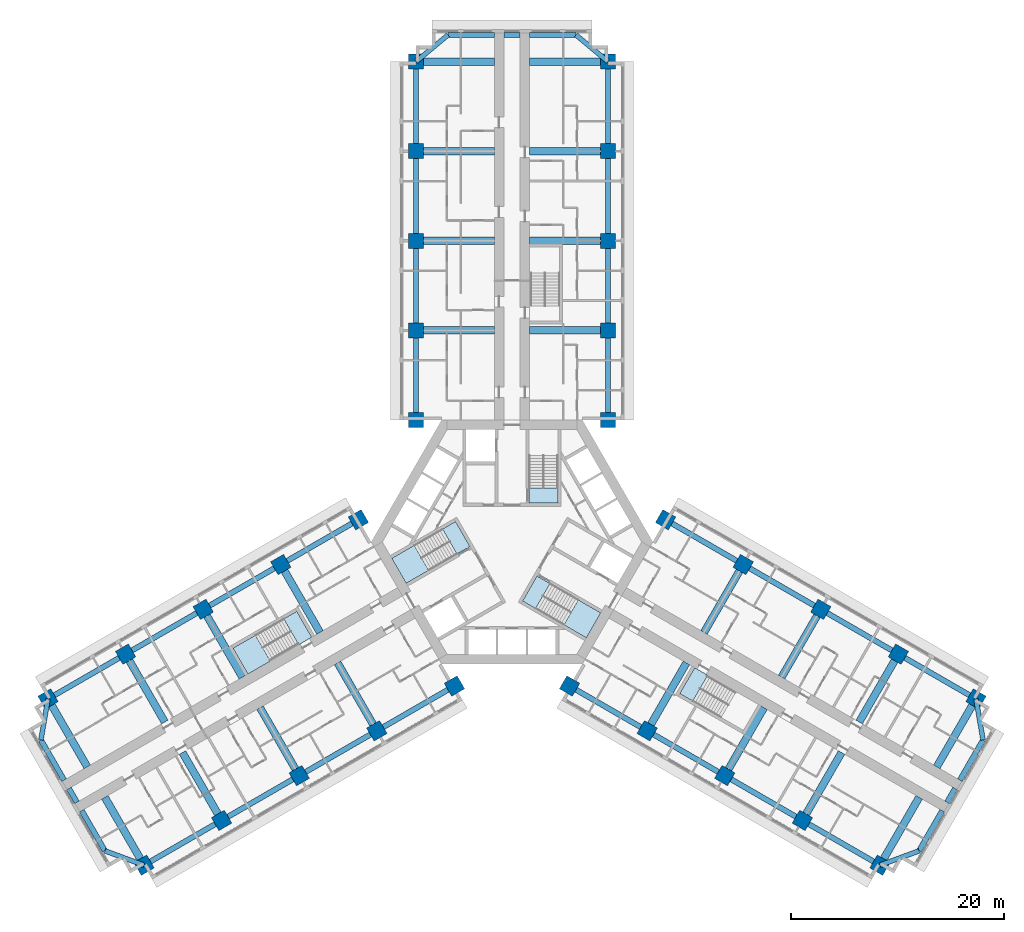
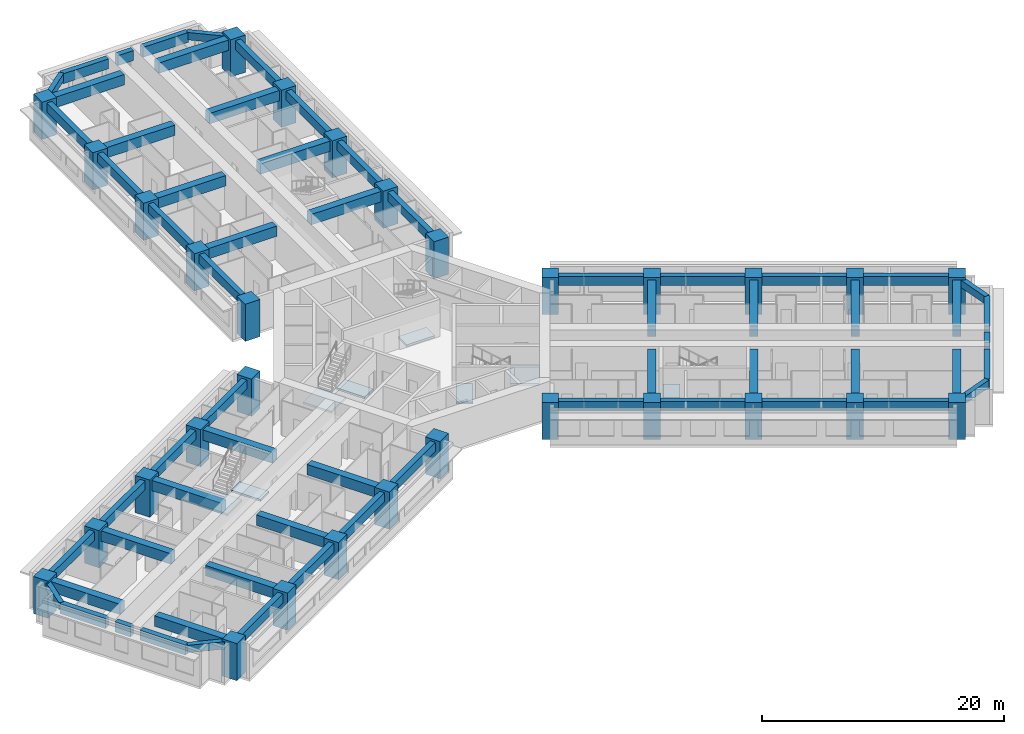
# One storey, part 1 of 16: 63 beams, 30 columns, 8 slabs, 5 elements without a shape of their own.
"""IFC4 building model written with IfcOpenShell, lengths in metres."""

from ifc_helpers import new_model, si_unit, direction, frame, origin, origin_2d, place, context, subcontext, project, spatial, polyline, rectangle, outline, extrude, material, layer, layer_set, material_profile, profile_set, type_object, element, aggregate, save


model = new_model("IFC4")

# Units and contexts
model_context = context("Model", 3, precision=1e-05, world=origin(), true_north=direction((0.0, 1.0)))
body_context = subcontext(model_context, "Body", "Model", "MODEL_VIEW")
ifc_project = project(units=[si_unit("LENGTHUNIT", "METRE"), si_unit("AREAUNIT", "SQUARE_METRE"), si_unit("VOLUMEUNIT", "CUBIC_METRE"), si_unit("PLANEANGLEUNIT", "RADIAN"), si_unit("MASSUNIT", "GRAM", prefix="KILO")], contexts=[model_context])

# Site, building, storey
site_placement = place(None, origin())
site = spatial("IfcSite", under=ifc_project, at=site_placement, CompositionType="ELEMENT")
building_placement = place(site_placement, origin())
building = spatial("IfcBuilding", under=site, at=building_placement, Name="Impinga Residences", CompositionType="ELEMENT")
storey_placement = place(building_placement, frame((0.0, 0.0, 78.5)))
storey = spatial("IfcBuildingStorey", under=building, at=storey_placement, Name="L19", CompositionType="ELEMENT", Elevation=78.5)

# Columns
ifc_material_1 = material(Name="Concrete C70/85", Category="concrete")
ifc_material_profile_1 = material_profile(ifc_material_1, rectangle(XDim=1.39990234375, YDim=1.39990234375, at=origin_2d()), Name="RC 1400x1400")
ifc_profile_set_1 = profile_set([ifc_material_profile_1], Name="Concrete C70/85")
column_type = type_object("IfcColumnType", Name="C2 1400x1400 column", PredefinedType="COLUMN", material=ifc_profile_set_1)
for number, where, z_axis, x_axis, name in (
    (1, (-9.0, 11.431640625, 0.0), (0.0, 0.0, 1.0), (1.0, 0.0, 0.0), "Column C2 N1/NA L19"),
    (2, (9.0, 11.431640625, 0.0), (0.0, 0.0, 1.0), (1.0, 0.0, 0.0), "Column C2 N1/NF L19"),
    (3, (-9.0, 19.83154296875, 0.0), (0.0, 0.0, 1.0), (1.0, 0.0, 0.0), "Column C2 N2/NA L19"),
    (4, (9.0, 19.83154296875, 0.0), (0.0, 0.0, 1.0), (1.0, 0.0, 0.0), "Column C2 N2/NF L19"),
    (5, (-9.0, 28.2314453125, 0.0), (0.0, 0.0, 1.0), (1.0, 0.0, 0.0), "Column C2 N3/NA L19"),
    (6, (9.0, 28.2314453125, 0.0), (0.0, 0.0, 1.0), (1.0, 0.0, 0.0), "Column C2 N3/NF L19"),
    (7, (-9.0, 36.631591796875, 0.0), (0.0, 0.0, 1.0), (1.0, 0.0, 0.0), "Column C2 N4/NA L19"),
    (8, (9.0, 36.631591796875, 0.0), (0.0, 0.0, 1.0), (1.0, 0.0, 0.0), "Column C2 N4/NF L19"),
    (9, (-9.0, 45.031494140625, 0.0), (0.0, 0.0, 1.0), (1.0, 0.0, 0.0), "Column C2 N5/NA L19"),
    (10, (9.0, 45.031494140625, 0.0), (0.0, 0.0, 1.0), (1.0, 0.0, 0.0), "Column C2 N5/NF L19"),
    (11, (-5.39990234375, -13.510009765625, 0.0), (0.0, 0.0, 1.0), (-0.5, 0.866025403784, 0.0), "Column C2 W1/WA L19"),
    (12, (-14.39990234375, 2.078369140625, 0.0), (0.0, 0.0, 1.0), (-0.5, 0.866025403784, 0.0), "Column C2 W1/WF L19"),
    (13, (-12.674560546875, -17.7099609375, 0.0), (0.0, 0.0, 1.0), (-0.5, 0.866025403784, 0.0), "Column C2 W2/WA L19"),
    (14, (-21.674560546875, -2.12158203125, 0.0), (0.0, 0.0, 1.0), (-0.5, 0.866025403784, 0.0), "Column C2 W2/WF L19"),
    (15, (-19.94921875, -21.909912109375, 0.0), (0.0, 0.0, 1.0), (-0.5, 0.866025403784, 0.0), "Column C2 W3/WA L19"),
    (16, (-28.94921875, -6.321533203125, 0.0), (0.0, 0.0, 1.0), (-0.5, 0.866025403784, 0.0), "Column C2 W3/WF L19"),
    (17, (-27.223876953125, -26.110107421875, 0.0), (0.0, 0.0, 1.0), (-0.5, 0.866025403784, 0.0), "Column C2 W4/WA L19"),
    (18, (-36.223876953125, -10.521484375, 0.0), (0.0, 0.0, 1.0), (-0.5, 0.866025403784, 0.0), "Column C2 W4/WF L19"),
    (19, (-34.49853515625, -30.31005859375, 0.0), (0.0, 0.0, 1.0), (-0.5, 0.866025403784, 0.0), "Column C2 W5/WA L19"),
    (20, (-43.49853515625, -14.721435546875, 0.0), (0.0, 0.0, 1.0), (-0.5, 0.866025403784, 0.0), "Column C2 W5/WF L19"),
    (21, (14.39990234375, 2.078369140625, 0.0), (0.0, 0.0, 1.0), (-0.5, -0.866025403784, 0.0), "Column C2 E1/EA L19"),
    (22, (5.39990234375, -13.510009765625, 0.0), (0.0, 0.0, 1.0), (-0.5, -0.866025403784, 0.0), "Column C2 E1/EF L19"),
    (23, (21.674560546875, -2.12158203125, 0.0), (0.0, 0.0, 1.0), (-0.5, -0.866025403784, 0.0), "Column C2 E2/EA L19"),
    (24, (12.674560546875, -17.7099609375, 0.0), (0.0, 0.0, 1.0), (-0.5, -0.866025403784, 0.0), "Column C2 E2/EF L19"),
    (25, (28.94921875, -6.321533203125, 0.0), (0.0, 0.0, 1.0), (-0.5, -0.866025403784, 0.0), "Column C2 E3/EA L19"),
    (26, (19.94921875, -21.909912109375, 0.0), (0.0, 0.0, 1.0), (-0.5, -0.866025403784, 0.0), "Column C2 E3/EF L19"),
    (27, (36.223876953125, -10.521484375, 0.0), (0.0, 0.0, 1.0), (-0.5, -0.866025403784, 0.0), "Column C2 E4/EA L19"),
    (28, (27.223876953125, -26.110107421875, 0.0), (0.0, 0.0, 1.0), (-0.5, -0.866025403784, 0.0), "Column C2 E4/EF L19"),
    (29, (43.49853515625, -14.721435546875, 0.0), (0.0, 0.0, 1.0), (-0.5, -0.866025403784, 0.0), "Column C2 E5/EA L19"),
    (30, (34.49853515625, -30.31005859375, 0.0), (0.0, 0.0, 1.0), (-0.5, -0.866025403784, 0.0), "Column C2 E5/EF L19"),
):
    element("IfcColumn", number, at=place(storey_placement, frame(where, z_axis=z_axis, x_axis=x_axis)), inside=storey, type_object=column_type, Name=name, PredefinedType="COLUMN", context=body_context, shape_type="SweptSolid", body=[
        extrude(rectangle(XDim=1.39990234375, YDim=1.39990234375, at=origin_2d()), origin(), (0.0, 0.0, 1.0), 3.75),
    ])

# Beams
ifc_material_2 = material(Name="Concrete C60/75", Category="concrete")
ifc_material_profile_2 = material_profile(ifc_material_2, rectangle(XDim=0.449951171875, YDim=0.75, at=origin_2d()), Name="RC 450x750")
ifc_profile_set_2 = profile_set([ifc_material_profile_2], Name="Concrete C60/75")
beam_type_1 = type_object("IfcBeamType", Name="CB1 450x750 wing end cantilever beam", PredefinedType="BEAM", material=ifc_profile_set_2)
for number, where, z_axis, x_axis, name in (
    (31, (-9.0, 45.031494140625, 3.155029296875), (0.768221279597, 0.640184399664, 0.0), (-0.640184399664, 0.768221279597, 0.0), "Beam CB1 NB N5-NX level L20"),
    (32, (9.0, 45.031494140625, 3.155029296875), (-0.768221279597, 0.640184399664, 0.0), (-0.640184399664, -0.768221279597, 0.0), "Beam CB1 NE N5-NX level L20"),
    (33, (-34.49853515625, -30.31005859375, 3.155029296875), (-0.938520178725, 0.345224382289, 0.0), (-0.345224382289, -0.938520178725, 0.0), "Beam CB1 WB W5-WX level L20"),
):
    element("IfcBeam", number, at=place(storey_placement, frame(where, z_axis=z_axis, x_axis=x_axis)), inside=storey, type_object=beam_type_1, Name=name, PredefinedType="BEAM", context=body_context, shape_type="SweptSolid", body=[
        extrude(rectangle(XDim=0.449951171875, YDim=0.75, at=origin_2d()), origin(), (0.0, 0.0, 1.0), 3.905029296875),
    ])
for number, where, z_axis, x_axis, name in (
    (34, (-43.49853515625, -14.721435546875, 3.155029296875), (-0.170296298948, -0.985392901621, 0.0), (0.985392901621, -0.170296298948, 0.0), "Beam CB1 WE W5-WX level L20"),
    (35, (43.49853515625, -14.721435546875, 3.155029296875), (0.170296298948, -0.985392901621, 0.0), (0.985392901621, 0.170296298948, 0.0), "Beam CB1 EB E5-EX level L20"),
):
    element("IfcBeam", number, at=place(storey_placement, frame(where, z_axis=z_axis, x_axis=x_axis)), inside=storey, type_object=beam_type_1, Name=name, PredefinedType="BEAM", context=body_context, shape_type="SweptSolid", body=[
        extrude(rectangle(XDim=0.449951171875, YDim=0.75, at=origin_2d()), origin(), (0.0, 0.0, 1.0), 3.9052734375),
    ])
beam_1_placement = place(storey_placement, frame((34.49853515625, -30.31005859375, 3.155029296875), z_axis=(0.938520178725, 0.345224382289, 0.0), x_axis=(-0.345224382289, 0.938520178725, 0.0)))
element("IfcBeam", 36, at=beam_1_placement, inside=storey, type_object=beam_type_1, Name="Beam CB1 EE E5-EX level L20", PredefinedType="BEAM", context=body_context, shape_type="SweptSolid", body=[
    extrude(rectangle(XDim=0.449951171875, YDim=0.75, at=origin_2d()), origin(), (0.0, 0.0, 1.0), 3.905029296875),
])
ifc_material_profile_3 = material_profile(ifc_material_2, rectangle(XDim=0.699951171875, YDim=1.050048828125, at=origin_2d()), Name="RC 700x1050")
ifc_profile_set_3 = profile_set([ifc_material_profile_3], Name="Concrete C60/75")
beam_type_2 = type_object("IfcBeamType", Name="CG1 700x1050 cross girder on a wing bay line", PredefinedType="BEAM", material=ifc_profile_set_3)
for number, where, z_axis, x_axis, name in (
    (37, (-1.64990234375, 19.83154296875, 3.0048828125), (-1.0, 0.0, 0.0), (0.0, -1.0, 0.0), "Beam CG1 N2 NC/NA level L20"),
    (38, (-1.64990234375, 28.2314453125, 3.0048828125), (-1.0, 0.0, 0.0), (0.0, -1.0, 0.0), "Beam CG1 N3 NC/NA level L20"),
    (39, (-1.64990234375, 36.631591796875, 3.0048828125), (-1.0, 0.0, 0.0), (0.0, -1.0, 0.0), "Beam CG1 N4 NC/NA level L20"),
    (40, (-1.64990234375, 45.031494140625, 3.0048828125), (-1.0, 0.0, 0.0), (0.0, -1.0, 0.0), "Beam CG1 N5 NC/NA level L20"),
    (41, (1.64990234375, 19.83154296875, 3.0048828125), (1.0, 0.0, 0.0), (0.0, 1.0, 0.0), "Beam CG1 N2 NC/NF level L20"),
    (42, (1.64990234375, 28.2314453125, 3.0048828125), (1.0, 0.0, 0.0), (0.0, 1.0, 0.0), "Beam CG1 N3 NC/NF level L20"),
    (43, (1.64990234375, 36.631591796875, 3.0048828125), (1.0, 0.0, 0.0), (0.0, 1.0, 0.0), "Beam CG1 N4 NC/NF level L20"),
    (44, (1.64990234375, 45.031494140625, 3.0048828125), (1.0, 0.0, 0.0), (0.0, 1.0, 0.0), "Beam CG1 N5 NC/NF level L20"),
    (45, (-16.349609375, -11.3447265625, 3.0048828125), (0.500008066151, -0.86602074674, 0.0), (0.86602074674, 0.500008066151, 0.0), "Beam CG1 W2 WC/WA level L20"),
    (46, (-23.624267578125, -15.544677734375, 3.0048828125), (0.500008066151, -0.86602074674, 0.0), (0.86602074674, 0.500008066151, 0.0), "Beam CG1 W3 WC/WA level L20"),
    (47, (-30.89892578125, -19.74462890625, 3.0048828125), (0.499993683172, -0.866029050776, 0.0), (0.866029050776, 0.499993683172, 0.0), "Beam CG1 W4 WC/WA level L20"),
):
    element("IfcBeam", number, at=place(storey_placement, frame(where, z_axis=z_axis, x_axis=x_axis)), inside=storey, type_object=beam_type_2, Name=name, PredefinedType="BEAM", context=body_context, shape_type="SweptSolid", body=[
        extrude(rectangle(XDim=0.699951171875, YDim=1.050048828125, at=origin_2d()), origin(), (0.0, 0.0, 1.0), 7.35009765625),
    ])
beam_2_placement = place(storey_placement, frame((-38.17333984375, -23.94482421875, 3.0048828125), z_axis=(0.499983153418, -0.866035129944, 0.0), x_axis=(0.866035129944, 0.499983153418, 0.0)))
element("IfcBeam", 48, at=beam_2_placement, inside=storey, type_object=beam_type_2, Name="Beam CG1 W5 WC/WA level L20", PredefinedType="BEAM", context=body_context, shape_type="SweptSolid", body=[
    extrude(rectangle(XDim=0.699951171875, YDim=1.050048828125, at=origin_2d()), origin(), (0.0, 0.0, 1.0), 7.349853515625),
])
for number, where, z_axis, x_axis, name in (
    (49, (-17.99951171875, -8.48681640625, 3.0048828125), (-0.500008066151, 0.86602074674, 0.0), (-0.86602074674, -0.500008066151, 0.0), "Beam CG1 W2 WC/WF level L20"),
    (50, (-25.274169921875, -12.686767578125, 3.0048828125), (-0.500008066151, 0.86602074674, 0.0), (-0.86602074674, -0.500008066151, 0.0), "Beam CG1 W3 WC/WF level L20"),
    (51, (-32.548828125, -16.88671875, 3.0048828125), (-0.500008066151, 0.86602074674, 0.0), (-0.86602074674, -0.500008066151, 0.0), "Beam CG1 W4 WC/WF level L20"),
    (52, (-39.823486328125, -21.0869140625, 3.0048828125), (-0.499993683172, 0.866029050776, 0.0), (-0.866029050776, -0.499993683172, 0.0), "Beam CG1 W5 WC/WF level L20"),
    (53, (17.99951171875, -8.48681640625, 3.0048828125), (0.500008066151, 0.86602074674, 0.0), (-0.86602074674, 0.500008066151, 0.0), "Beam CG1 E2 EC/EA level L20"),
    (54, (25.274169921875, -12.686767578125, 3.0048828125), (0.500008066151, 0.86602074674, 0.0), (-0.86602074674, 0.500008066151, 0.0), "Beam CG1 E3 EC/EA level L20"),
    (55, (32.548828125, -16.88671875, 3.0048828125), (0.500008066151, 0.86602074674, 0.0), (-0.86602074674, 0.500008066151, 0.0), "Beam CG1 E4 EC/EA level L20"),
    (56, (39.823486328125, -21.0869140625, 3.0048828125), (0.499993683172, 0.866029050776, 0.0), (-0.866029050776, 0.499993683172, 0.0), "Beam CG1 E5 EC/EA level L20"),
    (57, (16.349609375, -11.3447265625, 3.0048828125), (-0.500008066151, -0.86602074674, 0.0), (0.86602074674, -0.500008066151, 0.0), "Beam CG1 E2 EC/EF level L20"),
    (58, (23.624267578125, -15.544677734375, 3.0048828125), (-0.500008066151, -0.86602074674, 0.0), (0.86602074674, -0.500008066151, 0.0), "Beam CG1 E3 EC/EF level L20"),
    (59, (30.89892578125, -19.74462890625, 3.0048828125), (-0.499993683172, -0.866029050776, 0.0), (0.866029050776, -0.499993683172, 0.0), "Beam CG1 E4 EC/EF level L20"),
):
    element("IfcBeam", number, at=place(storey_placement, frame(where, z_axis=z_axis, x_axis=x_axis)), inside=storey, type_object=beam_type_2, Name=name, PredefinedType="BEAM", context=body_context, shape_type="SweptSolid", body=[
        extrude(rectangle(XDim=0.699951171875, YDim=1.050048828125, at=origin_2d()), origin(), (0.0, 0.0, 1.0), 7.35009765625),
    ])
beam_3_placement = place(storey_placement, frame((38.17333984375, -23.94482421875, 3.0048828125), z_axis=(-0.499983153418, -0.866035129944, 0.0), x_axis=(0.866035129944, -0.499983153418, 0.0)))
element("IfcBeam", 60, at=beam_3_placement, inside=storey, type_object=beam_type_2, Name="Beam CG1 E5 EC/EF level L20", PredefinedType="BEAM", context=body_context, shape_type="SweptSolid", body=[
    extrude(rectangle(XDim=0.699951171875, YDim=1.050048828125, at=origin_2d()), origin(), (0.0, 0.0, 1.0), 7.349853515625),
])
ifc_material_profile_4 = material_profile(ifc_material_2, rectangle(XDim=0.5, YDim=1.0, at=origin_2d()), Name="RC 500x1000")
ifc_profile_set_4 = profile_set([ifc_material_profile_4], Name="Concrete C60/75")
beam_type_3 = type_object("IfcBeamType", Name="EB1 500x1000 wing end beam", PredefinedType="BEAM", material=ifc_profile_set_4)
beam_4_placement = place(storey_placement, frame((-6.0, 47.531494140625, 3.030029296875), z_axis=(1.0, 0.0, 0.0), x_axis=(0.0, 1.0, 0.0)))
element("IfcBeam", 61, at=beam_4_placement, inside=storey, type_object=beam_type_3, Name="Beam EB1 NX4 level L20", PredefinedType="BEAM", context=body_context, shape_type="SweptSolid", body=[
    extrude(rectangle(XDim=0.5, YDim=1.0, at=origin_2d()), origin(), (0.0, 0.0, 1.0), 4.35009765625),
])
beam_5_placement = place(storey_placement, frame((-0.75, 47.531494140625, 3.030029296875), z_axis=(1.0, 0.0, 0.0), x_axis=(0.0, 1.0, 0.0)))
element("IfcBeam", 62, at=beam_5_placement, inside=storey, type_object=beam_type_3, Name="Beam EB1 NX4 level L20", PredefinedType="BEAM", context=body_context, shape_type="SweptSolid", body=[
    extrude(rectangle(XDim=0.5, YDim=1.0, at=origin_2d()), origin(), (0.0, 0.0, 1.0), 1.5),
])
beam_6_placement = place(storey_placement, frame((1.64990234375, 47.531494140625, 3.030029296875), z_axis=(1.0, 0.0, 0.0), x_axis=(0.0, 1.0, 0.0)))
element("IfcBeam", 63, at=beam_6_placement, inside=storey, type_object=beam_type_3, Name="Beam EB1 NX4 level L20", PredefinedType="BEAM", context=body_context, shape_type="SweptSolid", body=[
    extrude(rectangle(XDim=0.5, YDim=1.0, at=origin_2d()), origin(), (0.0, 0.0, 1.0), 4.35009765625),
])
beam_7_placement = place(storey_placement, frame((-38.16357421875, -28.9619140625, 3.030029296875), z_axis=(-0.500020430026, 0.866013608182, 0.0), x_axis=(-0.866013608182, -0.500020430026, 0.0)))
element("IfcBeam", 64, at=beam_7_placement, inside=storey, type_object=beam_type_3, Name="Beam EB1 WX4 level L20", PredefinedType="BEAM", context=body_context, shape_type="SweptSolid", body=[
    extrude(rectangle(XDim=0.5, YDim=1.0, at=origin_2d()), origin(), (0.0, 0.0, 1.0), 4.349853515625),
])
beam_8_placement = place(storey_placement, frame((-40.78857421875, -24.415283203125, 3.030029296875), z_axis=(-0.499990139034, 0.866031096941, 0.0), x_axis=(-0.866031096941, -0.499990139034, 0.0)))
element("IfcBeam", 65, at=beam_8_placement, inside=storey, type_object=beam_type_3, Name="Beam EB1 WX4 level L20", PredefinedType="BEAM", context=body_context, shape_type="SweptSolid", body=[
    extrude(rectangle(XDim=0.5, YDim=1.0, at=origin_2d()), origin(), (0.0, 0.0, 1.0), 1.5),
])
for number, where, z_axis, x_axis, name in (
    (66, (-41.988525390625, -22.3369140625, 3.030029296875), (-0.499996127374, 0.866027639635, 0.0), (-0.866027639635, -0.499996127374, 0.0), "Beam EB1 WX4 level L20"),
    (67, (44.16357421875, -18.569580078125, 3.030029296875), (-0.499996127374, -0.866027639635, 0.0), (0.866027639635, -0.499996127374, 0.0), "Beam EB1 EX4 level L20"),
):
    element("IfcBeam", number, at=place(storey_placement, frame(where, z_axis=z_axis, x_axis=x_axis)), inside=storey, type_object=beam_type_3, Name=name, PredefinedType="BEAM", context=body_context, shape_type="SweptSolid", body=[
        extrude(rectangle(XDim=0.5, YDim=1.0, at=origin_2d()), origin(), (0.0, 0.0, 1.0), 4.35009765625),
    ])
beam_9_placement = place(storey_placement, frame((41.53857421875, -23.1162109375, 3.030029296875), z_axis=(-0.499990139034, -0.866031096941, 0.0), x_axis=(0.866031096941, -0.499990139034, 0.0)))
element("IfcBeam", 68, at=beam_9_placement, inside=storey, type_object=beam_type_3, Name="Beam EB1 EX4 level L20", PredefinedType="BEAM", context=body_context, shape_type="SweptSolid", body=[
    extrude(rectangle(XDim=0.5, YDim=1.0, at=origin_2d()), origin(), (0.0, 0.0, 1.0), 1.5),
])
beam_10_placement = place(storey_placement, frame((40.338623046875, -25.19482421875, 3.030029296875), z_axis=(-0.500020430026, -0.866013608182, 0.0), x_axis=(0.866013608182, -0.500020430026, 0.0)))
element("IfcBeam", 69, at=beam_10_placement, inside=storey, type_object=beam_type_3, Name="Beam EB1 EX4 level L20", PredefinedType="BEAM", context=body_context, shape_type="SweptSolid", body=[
    extrude(rectangle(XDim=0.5, YDim=1.0, at=origin_2d()), origin(), (0.0, 0.0, 1.0), 4.349853515625),
])
ifc_material_profile_5 = material_profile(ifc_material_2, rectangle(XDim=0.5, YDim=0.89990234375, at=origin_2d()), Name="RC 500x900")
ifc_profile_set_5 = profile_set([ifc_material_profile_5], Name="Concrete C60/75")
beam_type_4 = type_object("IfcBeamType", Name="SB1 500x900 perimeter spandrel beam", PredefinedType="SPANDREL", material=ifc_profile_set_5)
for number, where, z_axis, x_axis, name in (
    (70, (-9.0, 11.431640625, 3.080078125), (0.0, 1.0, 0.0), (-1.0, 0.0, 0.0), "Beam SB1 NA N1-N2 level L20"),
    (71, (-9.0, 19.83154296875, 3.080078125), (0.0, 1.0, 0.0), (-1.0, 0.0, 0.0), "Beam SB1 NA N2-N3 level L20"),
):
    element("IfcBeam", number, at=place(storey_placement, frame(where, z_axis=z_axis, x_axis=x_axis)), inside=storey, type_object=beam_type_4, Name=name, PredefinedType="SPANDREL", context=body_context, shape_type="SweptSolid", body=[
        extrude(rectangle(XDim=0.5, YDim=0.89990234375, at=origin_2d()), origin(), (0.0, 0.0, 1.0), 8.39990234375),
    ])
beam_11_placement = place(storey_placement, frame((-9.0, 28.2314453125, 3.080078125), z_axis=(0.0, 1.0, 0.0), x_axis=(-1.0, 0.0, 0.0)))
element("IfcBeam", 72, at=beam_11_placement, inside=storey, type_object=beam_type_4, Name="Beam SB1 NA N3-N4 level L20", PredefinedType="SPANDREL", context=body_context, shape_type="SweptSolid", body=[
    extrude(rectangle(XDim=0.5, YDim=0.89990234375, at=origin_2d()), origin(), (0.0, 0.0, 1.0), 8.400146484375),
])
for number, where, z_axis, x_axis, name in (
    (73, (-9.0, 36.631591796875, 3.080078125), (0.0, 1.0, 0.0), (-1.0, 0.0, 0.0), "Beam SB1 NA N4-N5 level L20"),
    (74, (9.0, 11.431640625, 3.080078125), (0.0, 1.0, 0.0), (-1.0, 0.0, 0.0), "Beam SB1 NF N1-N2 level L20"),
    (75, (9.0, 19.83154296875, 3.080078125), (0.0, 1.0, 0.0), (-1.0, 0.0, 0.0), "Beam SB1 NF N2-N3 level L20"),
):
    element("IfcBeam", number, at=place(storey_placement, frame(where, z_axis=z_axis, x_axis=x_axis)), inside=storey, type_object=beam_type_4, Name=name, PredefinedType="SPANDREL", context=body_context, shape_type="SweptSolid", body=[
        extrude(rectangle(XDim=0.5, YDim=0.89990234375, at=origin_2d()), origin(), (0.0, 0.0, 1.0), 8.39990234375),
    ])
beam_12_placement = place(storey_placement, frame((9.0, 28.2314453125, 3.080078125), z_axis=(0.0, 1.0, 0.0), x_axis=(-1.0, 0.0, 0.0)))
element("IfcBeam", 76, at=beam_12_placement, inside=storey, type_object=beam_type_4, Name="Beam SB1 NF N3-N4 level L20", PredefinedType="SPANDREL", context=body_context, shape_type="SweptSolid", body=[
    extrude(rectangle(XDim=0.5, YDim=0.89990234375, at=origin_2d()), origin(), (0.0, 0.0, 1.0), 8.400146484375),
])
for number, where, z_axis, x_axis, name in (
    (77, (9.0, 36.631591796875, 3.080078125), (0.0, 1.0, 0.0), (-1.0, 0.0, 0.0), "Beam SB1 NF N4-N5 level L20"),
    (78, (-5.39990234375, -13.510009765625, 3.080078125), (-0.86602925447, -0.499993330357, 0.0), (0.499993330357, -0.86602925447, 0.0), "Beam SB1 WA W1-W2 level L20"),
    (79, (-12.674560546875, -17.7099609375, 3.080078125), (-0.86602925447, -0.499993330357, 0.0), (0.499993330357, -0.86602925447, 0.0), "Beam SB1 WA W2-W3 level L20"),
):
    element("IfcBeam", number, at=place(storey_placement, frame(where, z_axis=z_axis, x_axis=x_axis)), inside=storey, type_object=beam_type_4, Name=name, PredefinedType="SPANDREL", context=body_context, shape_type="SweptSolid", body=[
        extrude(rectangle(XDim=0.5, YDim=0.89990234375, at=origin_2d()), origin(), (0.0, 0.0, 1.0), 8.39990234375),
    ])
beam_13_placement = place(storey_placement, frame((-19.94921875, -21.909912109375, 3.080078125), z_axis=(-0.866016669275, -0.500015128309, 0.0), x_axis=(0.500015128309, -0.866016669275, 0.0)))
element("IfcBeam", 80, at=beam_13_placement, inside=storey, type_object=beam_type_4, Name="Beam SB1 WA W3-W4 level L20", PredefinedType="SPANDREL", context=body_context, shape_type="SweptSolid", body=[
    extrude(rectangle(XDim=0.5, YDim=0.89990234375, at=origin_2d()), origin(), (0.0, 0.0, 1.0), 8.400146484375),
])
for number, where, z_axis, x_axis, name in (
    (81, (-27.223876953125, -26.110107421875, 3.080078125), (-0.86602925447, -0.499993330357, 0.0), (0.499993330357, -0.86602925447, 0.0), "Beam SB1 WA W4-W5 level L20"),
    (82, (-14.39990234375, 2.078369140625, 3.080078125), (-0.86602925447, -0.499993330357, 0.0), (0.499993330357, -0.86602925447, 0.0), "Beam SB1 WF W1-W2 level L20"),
    (83, (-21.674560546875, -2.12158203125, 3.080078125), (-0.86602925447, -0.499993330357, 0.0), (0.499993330357, -0.86602925447, 0.0), "Beam SB1 WF W2-W3 level L20"),
    (84, (-28.94921875, -6.321533203125, 3.080078125), (-0.86602925447, -0.499993330357, 0.0), (0.499993330357, -0.86602925447, 0.0), "Beam SB1 WF W3-W4 level L20"),
    (85, (-36.223876953125, -10.521484375, 3.080078125), (-0.86602925447, -0.499993330357, 0.0), (0.499993330357, -0.86602925447, 0.0), "Beam SB1 WF W4-W5 level L20"),
    (86, (14.39990234375, 2.078369140625, 3.080078125), (0.86602925447, -0.499993330357, 0.0), (0.499993330357, 0.86602925447, 0.0), "Beam SB1 EA E1-E2 level L20"),
    (87, (21.674560546875, -2.12158203125, 3.080078125), (0.86602925447, -0.499993330357, 0.0), (0.499993330357, 0.86602925447, 0.0), "Beam SB1 EA E2-E3 level L20"),
    (88, (28.94921875, -6.321533203125, 3.080078125), (0.86602925447, -0.499993330357, 0.0), (0.499993330357, 0.86602925447, 0.0), "Beam SB1 EA E3-E4 level L20"),
    (89, (36.223876953125, -10.521484375, 3.080078125), (0.86602925447, -0.499993330357, 0.0), (0.499993330357, 0.86602925447, 0.0), "Beam SB1 EA E4-E5 level L20"),
    (90, (5.39990234375, -13.510009765625, 3.080078125), (0.86602925447, -0.499993330357, 0.0), (0.499993330357, 0.86602925447, 0.0), "Beam SB1 EF E1-E2 level L20"),
    (91, (12.674560546875, -17.7099609375, 3.080078125), (0.86602925447, -0.499993330357, 0.0), (0.499993330357, 0.86602925447, 0.0), "Beam SB1 EF E2-E3 level L20"),
):
    element("IfcBeam", number, at=place(storey_placement, frame(where, z_axis=z_axis, x_axis=x_axis)), inside=storey, type_object=beam_type_4, Name=name, PredefinedType="SPANDREL", context=body_context, shape_type="SweptSolid", body=[
        extrude(rectangle(XDim=0.5, YDim=0.89990234375, at=origin_2d()), origin(), (0.0, 0.0, 1.0), 8.39990234375),
    ])
beam_14_placement = place(storey_placement, frame((19.94921875, -21.909912109375, 3.080078125), z_axis=(0.866016669275, -0.500015128309, 0.0), x_axis=(0.500015128309, 0.866016669275, 0.0)))
element("IfcBeam", 92, at=beam_14_placement, inside=storey, type_object=beam_type_4, Name="Beam SB1 EF E3-E4 level L20", PredefinedType="SPANDREL", context=body_context, shape_type="SweptSolid", body=[
    extrude(rectangle(XDim=0.5, YDim=0.89990234375, at=origin_2d()), origin(), (0.0, 0.0, 1.0), 8.400146484375),
])
beam_15_placement = place(storey_placement, frame((27.223876953125, -26.110107421875, 3.080078125), z_axis=(0.86602925447, -0.499993330357, 0.0), x_axis=(0.499993330357, 0.86602925447, 0.0)))
element("IfcBeam", 93, at=beam_15_placement, inside=storey, type_object=beam_type_4, Name="Beam SB1 EF E4-E5 level L20", PredefinedType="SPANDREL", context=body_context, shape_type="SweptSolid", body=[
    extrude(rectangle(XDim=0.5, YDim=0.89990234375, at=origin_2d()), origin(), (0.0, 0.0, 1.0), 8.39990234375),
])

# Stair, slab
ifc_material_3 = material(Name="Concrete C40/50", Category="concrete")
stair_type_1 = type_object("IfcStairType", Name="STR core stair 3750 storey, 24 risers", PredefinedType="HALF_TURN_STAIR", material=ifc_material_3)
stair_1_placement = place(storey_placement, origin())
stair_1 = element("IfcStair", 94, at=stair_1_placement, inside=storey, type_object=stair_type_1, Name="Stair ST1 L19", PredefinedType="HALF_TURN_STAIR")
ifc_layer = layer(ifc_material_3, 0.199951171875)
ifc_layer_set = layer_set([ifc_layer], Name="Concrete C40/50")
slab_type = type_object("IfcSlabType", Name="LS1 stair landing 200", PredefinedType="LANDING", material=ifc_layer_set)
slab_1_placement = place(storey_placement, frame((0.0, 0.0, -0.199951171875)))
slab_1 = element("IfcSlab", 95, at=slab_1_placement, type_object=slab_type, Name="ST1 landing 1", PredefinedType="LANDING", context=body_context, shape_type="SweptSolid", body=[
    extrude(outline(polyline([(1.60009765625, 3.6298828125), (4.300048828125, 3.6298828125), (4.300048828125, 5.0400390625), (1.60009765625, 5.0400390625), (1.60009765625, 3.6298828125)])), origin(), (0.0, 0.0, 1.0), 0.199951171875),
])
aggregate(stair_1, [slab_1])

# Stair, slabs
stair_2_placement = place(storey_placement, origin())
stair_2 = element("IfcStair", 96, at=stair_2_placement, inside=storey, type_object=stair_type_1, Name="Stair ST2 L19", PredefinedType="HALF_TURN_STAIR")
slab_2_placement = place(storey_placement, frame((0.0, 0.0, -0.199951171875)))
slab_2 = element("IfcSlab", 97, at=slab_2_placement, type_object=slab_type, Name="ST2 landing 1", PredefinedType="LANDING", context=body_context, shape_type="SweptSolid", body=[
    extrude(outline(polyline([(-3.943603515625, -0.429443359375), (-5.293701171875, 1.908935546875), (-6.5146484375, 1.203857421875), (-5.164794921875, -1.13427734375), (-3.943603515625, -0.429443359375)])), origin(), (0.0, 0.0, 1.0), 0.199951171875),
])
slab_3_placement = place(storey_placement, frame((0.0, 0.0, 1.675048828125)))
slab_3 = element("IfcSlab", 98, at=slab_3_placement, type_object=slab_type, Name="ST2 landing 2", PredefinedType="LANDING", context=body_context, shape_type="SweptSolid", body=[
    extrude(outline(polyline([(-7.814697265625, -2.664306640625), (-9.164794921875, -0.326171875), (-11.2705078125, -1.541748046875), (-9.920654296875, -3.880126953125), (-7.814697265625, -2.664306640625)])), origin(), (0.0, 0.0, 1.0), 0.199951171875),
])
aggregate(stair_2, [slab_2, slab_3])

stair_3_placement = place(storey_placement, origin())
stair_3 = element("IfcStair", 99, at=stair_3_placement, inside=storey, type_object=stair_type_1, Name="Stair ST3 L19", PredefinedType="HALF_TURN_STAIR")
slab_4_placement = place(storey_placement, frame((0.0, 0.0, -0.199951171875)))
slab_4 = element("IfcSlab", 100, at=slab_4_placement, type_object=slab_type, Name="ST3 landing 1", PredefinedType="LANDING", context=body_context, shape_type="SweptSolid", body=[
    extrude(outline(polyline([(2.34375, -3.20068359375), (0.99365234375, -5.538818359375), (2.21484375, -6.243896484375), (3.564697265625, -3.90576171875), (2.34375, -3.20068359375)])), origin(), (0.0, 0.0, 1.0), 0.199951171875),
])
slab_5_placement = place(storey_placement, frame((0.0, 0.0, 1.675048828125)))
slab_5 = element("IfcSlab", 101, at=slab_5_placement, type_object=slab_type, Name="ST3 landing 2", PredefinedType="LANDING", context=body_context, shape_type="SweptSolid", body=[
    extrude(outline(polyline([(6.21484375, -5.435546875), (4.86474609375, -7.77392578125), (6.970458984375, -8.98974609375), (8.320556640625, -6.6513671875), (6.21484375, -5.435546875)])), origin(), (0.0, 0.0, 1.0), 0.199951171875),
])
aggregate(stair_3, [slab_4, slab_5])

stair_type_2 = type_object("IfcStairType", Name="STR wing stair 3750 storey, 24 risers", PredefinedType="HALF_TURN_STAIR", material=ifc_material_3)
stair_4_placement = place(storey_placement, origin())
stair_4 = element("IfcStair", 102, at=stair_4_placement, inside=storey, type_object=stair_type_2, Name="Stair WS2 L19", PredefinedType="HALF_TURN_STAIR")
slab_6_placement = place(storey_placement, frame((0.0, 0.0, -0.199951171875)))
slab_6 = element("IfcSlab", 103, at=slab_6_placement, type_object=slab_type, Name="WS2 landing 1", PredefinedType="LANDING", context=body_context, shape_type="SweptSolid", body=[
    extrude(outline(polyline([(-18.779052734375, -8.936767578125), (-20.178955078125, -6.511962890625), (-21.400146484375, -7.217041015625), (-20.000244140625, -9.641845703125), (-18.779052734375, -8.936767578125)])), origin(), (0.0, 0.0, 1.0), 0.199951171875),
])
slab_7_placement = place(storey_placement, frame((0.0, 0.0, 1.675048828125)))
slab_7 = element("IfcSlab", 104, at=slab_7_placement, type_object=slab_type, Name="WS2 landing 2", PredefinedType="LANDING", context=body_context, shape_type="SweptSolid", body=[
    extrude(outline(polyline([(-22.650146484375, -11.171875), (-24.050048828125, -8.7470703125), (-26.154541015625, -9.9619140625), (-24.754638671875, -12.38671875), (-22.650146484375, -11.171875)])), origin(), (0.0, 0.0, 1.0), 0.199951171875),
])
aggregate(stair_4, [slab_6, slab_7])

# Stair, slab
stair_5_placement = place(storey_placement, origin())
stair_5 = element("IfcStair", 105, at=stair_5_placement, inside=storey, type_object=stair_type_2, Name="Stair WS3 L19", PredefinedType="HALF_TURN_STAIR")
slab_8_placement = place(storey_placement, frame((0.0, 0.0, -0.199951171875)))
slab_8 = element("IfcSlab", 106, at=slab_8_placement, type_object=slab_type, Name="WS3 landing 1", PredefinedType="LANDING", context=body_context, shape_type="SweptSolid", body=[
    extrude(outline(polyline([(17.129150390625, -11.794677734375), (15.72900390625, -14.219482421875), (16.9501953125, -14.924560546875), (18.35009765625, -12.499755859375), (17.129150390625, -11.794677734375)])), origin(), (0.0, 0.0, 1.0), 0.199951171875),
])
aggregate(stair_5, [slab_8])

save(model, "model.ifc")
